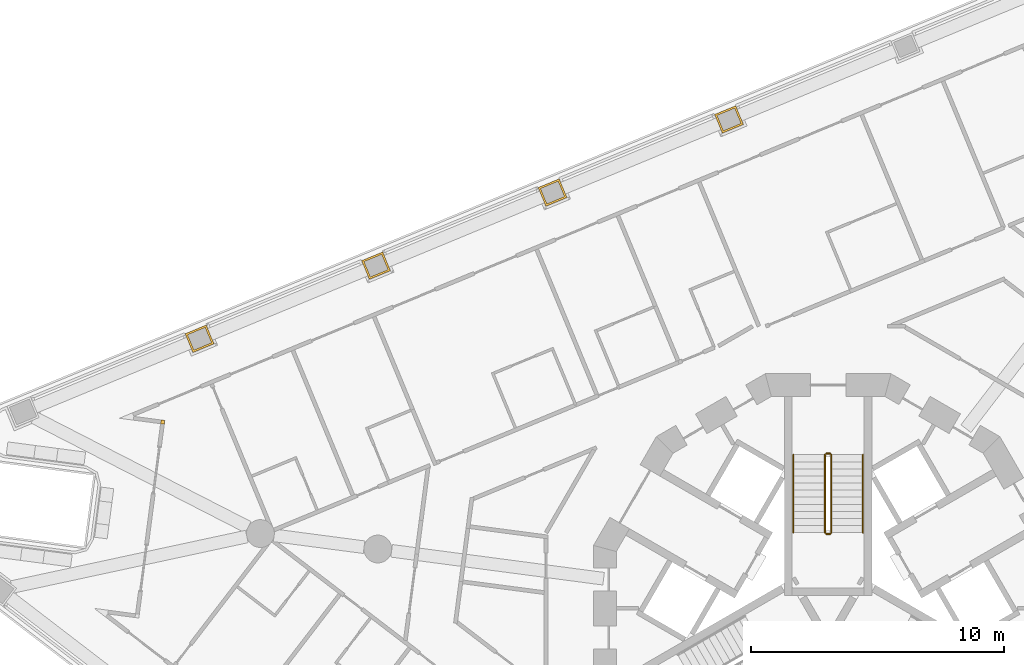
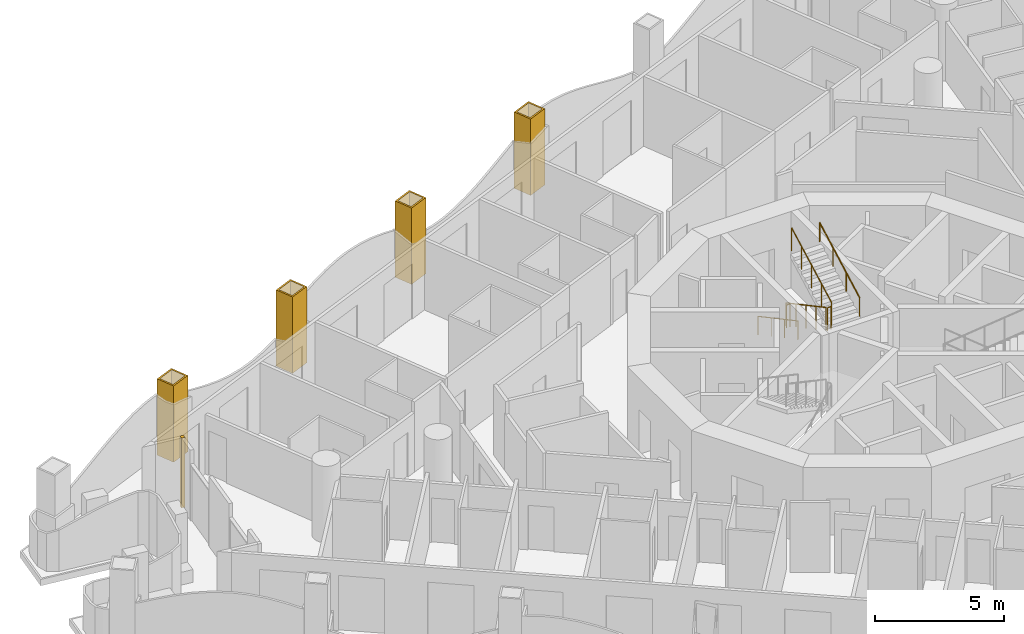
# One storey, part 16 of 18: 6 railings, 5 coverings.
"""IFC4 building model written with IfcOpenShell, lengths in metres."""

from ifc_helpers import new_model, si_unit, direction, frame, origin, origin_2d, place, context, subcontext, project, spatial, polyline, circle, outline, extrude, material, layer, layer_set, type_object, element, save


model = new_model("IFC4")

# Units and contexts
model_context = context("Model", 3, precision=1e-05, world=origin(), true_north=direction((0.0, 1.0)))
body_context = subcontext(model_context, "Body", "Model", "MODEL_VIEW")
ifc_project = project(units=[si_unit("LENGTHUNIT", "METRE"), si_unit("AREAUNIT", "SQUARE_METRE"), si_unit("VOLUMEUNIT", "CUBIC_METRE"), si_unit("PLANEANGLEUNIT", "RADIAN"), si_unit("MASSUNIT", "GRAM", prefix="KILO")], contexts=[model_context])

# Site, building, storey
site_placement = place(None, origin())
site = spatial("IfcSite", under=ifc_project, at=site_placement, CompositionType="ELEMENT")
building_placement = place(site_placement, origin())
building = spatial("IfcBuilding", under=site, at=building_placement, Name="Trine Commons Tower", CompositionType="ELEMENT")
storey_placement = place(building_placement, frame((0.0, 0.0, 145.800048828125)))
storey = spatial("IfcBuildingStorey", under=building, at=storey_placement, Name="L37", CompositionType="ELEMENT", Elevation=145.800048828125)

# Coverings
ifc_material_1 = material(Name="Aluminium-framed insulated wall panel", Category="aluminium")
ifc_layer_1 = layer(ifc_material_1, 0.14990234375)
ifc_layer_set_1 = layer_set([ifc_layer_1], Name="Aluminium-framed insulated wall panel")
covering_type_1 = type_object("IfcCoveringType", Name="Glazing corner post, aluminium", PredefinedType="CLADDING", material=ifc_layer_set_1)
covering_1_placement = place(storey_placement, origin())
element("IfcCovering", 1, at=covering_1_placement, inside=storey, type_object=covering_type_1, Name="Glazing corner post 4-03", PredefinedType="CLADDING", context=body_context, shape_type="SweptSolid", body=[
    extrude(outline(polyline([(53.610107421875, 69.797119140625), (53.7587890625, 69.77734375), (53.778564453125, 69.926025390625), (53.6298828125, 69.94580078125), (53.610107421875, 69.797119140625)])), origin(), (0.0, 0.0, 1.0), 3.300048828125),
])
ifc_material_2 = material(Name="Limestone, honed", Category="masonry")
ifc_layer_2 = layer(ifc_material_2, 0.074951171875)
ifc_layer_set_2 = layer_set([ifc_layer_2], Name="Limestone, honed")
covering_type_2 = type_object("IfcCoveringType", Name="Limestone column cladding 75", PredefinedType="CLADDING", material=ifc_layer_set_2)
covering_2_placement = place(storey_placement, origin())
element("IfcCovering", 2, at=covering_2_placement, inside=storey, type_object=covering_type_2, Name="Limestone pier cladding 4-10", PredefinedType="CLADDING", context=body_context, shape_type="SweptSolid", body=[
    extrude(outline(polyline([(55.719970703125, 72.957763671875), (55.413818359375, 73.69677734375), (54.582275390625, 73.352294921875), (54.888427734375, 72.61328125), (55.719970703125, 72.957763671875)]), holes=[polyline([(55.621826171875, 72.998291015625), (55.373291015625, 73.598876953125), (54.680419921875, 73.311767578125), (54.928955078125, 72.711181640625), (55.621826171875, 72.998291015625)])]), origin(), (0.0, 0.0, 1.0), 3.599853515625),
])
covering_3_placement = place(storey_placement, origin())
element("IfcCovering", 3, at=covering_3_placement, inside=storey, type_object=covering_type_2, Name="Limestone pier cladding 4-11", PredefinedType="CLADDING", context=body_context, shape_type="SweptSolid", body=[
    extrude(outline(polyline([(62.697021484375, 75.84765625), (62.390869140625, 76.5869140625), (61.559326171875, 76.2421875), (61.865478515625, 75.503173828125), (62.697021484375, 75.84765625)]), holes=[polyline([(62.59912109375, 75.88818359375), (62.350341796875, 76.48876953125), (61.657470703125, 76.201904296875), (61.906005859375, 75.601318359375), (62.59912109375, 75.88818359375)])]), origin(), (0.0, 0.0, 1.0), 3.599853515625),
])
covering_4_placement = place(storey_placement, origin())
element("IfcCovering", 4, at=covering_4_placement, inside=storey, type_object=covering_type_2, Name="Limestone pier cladding 4-12", PredefinedType="CLADDING", context=body_context, shape_type="SweptSolid", body=[
    extrude(outline(polyline([(69.674072265625, 78.73779296875), (69.367919921875, 79.476806640625), (68.53662109375, 79.13232421875), (68.842529296875, 78.393310546875), (69.674072265625, 78.73779296875)]), holes=[polyline([(69.576171875, 78.7783203125), (69.327392578125, 79.37890625), (68.634521484375, 79.091796875), (68.88330078125, 78.4912109375), (69.576171875, 78.7783203125)])]), origin(), (0.0, 0.0, 1.0), 3.599853515625),
])
covering_5_placement = place(storey_placement, origin())
element("IfcCovering", 5, at=covering_5_placement, inside=storey, type_object=covering_type_2, Name="Limestone pier cladding 4-13", PredefinedType="CLADDING", context=body_context, shape_type="SweptSolid", body=[
    extrude(outline(polyline([(76.651123046875, 81.627685546875), (76.34521484375, 82.366943359375), (75.513671875, 82.0224609375), (75.819580078125, 81.283203125), (76.651123046875, 81.627685546875)]), holes=[polyline([(76.55322265625, 81.668212890625), (76.304443359375, 82.268798828125), (75.611572265625, 81.98193359375), (75.8603515625, 81.38134765625), (76.55322265625, 81.668212890625)])]), origin(), (0.0, 0.0, 1.0), 3.599853515625),
])

# Railings
ifc_material_3 = material(Name="Stainless steel balustrade", Category="steel")
railing_type_1 = type_object("IfcRailingType", Name="Stair guard, steel balustrade 1100", PredefinedType="GUARDRAIL", material=ifc_material_3)
railing_1_placement = place(storey_placement, frame((79.875, 68.570556640625, 0.14990234375)))
element("IfcRailing", 6, at=railing_1_placement, inside=storey, type_object=railing_type_1, Name="L37 ST1B stair guard 1", PredefinedType="GUARDRAIL", context=body_context, shape_type="SweptSolid", body=[
    extrude(circle(Radius=0.02392578125, at=origin_2d()), frame((0.0, 0.0, 1.076171875), z_axis=(0.0, -0.881467505477, 0.472244678941), x_axis=(1.0, 0.0, 0.0)), (0.0, 0.0, 1.0), 3.494140625),
    extrude(circle(Radius=0.02099609375, at=origin_2d()), origin(), (0.0, 0.0, 1.0), 1.052001953125),
    extrude(circle(Radius=0.02099609375, at=origin_2d()), frame((0.0, -0.77001953125, 0.41259765625)), (0.0, 0.0, 1.0), 1.052001953125),
    extrude(circle(Radius=0.02099609375, at=origin_2d()), frame((0.0, -1.5400390625, 0.8251953125)), (0.0, 0.0, 1.0), 1.052001953125),
    extrude(circle(Radius=0.02099609375, at=origin_2d()), frame((0.0, -2.31005859375, 1.237548828125)), (0.0, 0.0, 1.0), 1.052001953125),
    extrude(circle(Radius=0.02099609375, at=origin_2d()), frame((0.0, -3.080078125, 1.650146484375)), (0.0, 0.0, 1.0), 1.052001953125),
])
railing_2_placement = place(storey_placement, frame((79.925048828125, 65.440673828125, 1.800048828125)))
element("IfcRailing", 7, at=railing_2_placement, inside=storey, type_object=railing_type_1, Name="L37 ST1B stair guard 2", PredefinedType="GUARDRAIL", context=body_context, shape_type="SweptSolid", body=[
    extrude(circle(Radius=0.02392578125, at=origin_2d()), frame((0.0, 0.0, 1.076171875), z_axis=(1.0, 0.0, 0.0), x_axis=(0.0, 1.0, 0.0)), (0.0, 0.0, 1.0), 0.14990234375),
    extrude(circle(Radius=0.02099609375, at=origin_2d()), origin(), (0.0, 0.0, 1.0), 1.052001953125),
    extrude(circle(Radius=0.02099609375, at=origin_2d()), frame((0.14990234375, 0.0, 0.0)), (0.0, 0.0, 1.0), 1.052001953125),
])
railing_3_placement = place(storey_placement, frame((80.125, 65.490478515625, 1.949951171875)))
element("IfcRailing", 8, at=railing_3_placement, inside=storey, type_object=railing_type_1, Name="L37 ST1B stair guard 3", PredefinedType="GUARDRAIL", context=body_context, shape_type="SweptSolid", body=[
    extrude(circle(Radius=0.02392578125, at=origin_2d()), frame((0.0, 0.0, 1.076171875), z_axis=(0.0, 0.881496589024, 0.472190389079), x_axis=(-1.0, 0.0, 0.0)), (0.0, 0.0, 1.0), 3.494140625),
    extrude(circle(Radius=0.02099609375, at=origin_2d()), origin(), (0.0, 0.0, 1.0), 1.052001953125),
    extrude(circle(Radius=0.02099609375, at=origin_2d()), frame((0.0, 0.77001953125, 0.41259765625)), (0.0, 0.0, 1.0), 1.052001953125),
    extrude(circle(Radius=0.02099609375, at=origin_2d()), frame((0.0, 1.5400390625, 0.824951171875)), (0.0, 0.0, 1.0), 1.052001953125),
    extrude(circle(Radius=0.02099609375, at=origin_2d()), frame((0.0, 2.31005859375, 1.2373046875)), (0.0, 0.0, 1.0), 1.052001953125),
    extrude(circle(Radius=0.02099609375, at=origin_2d()), frame((0.0, 3.080078125, 1.64990234375)), (0.0, 0.0, 1.0), 1.052001953125),
])
railing_4_placement = place(storey_placement, frame((79.925048828125, 68.62060546875, 0.0)))
element("IfcRailing", 9, at=railing_4_placement, inside=storey, type_object=railing_type_1, Name="L37 ST1B stair guard 4", PredefinedType="GUARDRAIL", context=body_context, shape_type="SweptSolid", body=[
    extrude(circle(Radius=0.02392578125, at=origin_2d()), frame((0.0, 0.0, 1.076171875), z_axis=(1.0, 0.0, 0.0), x_axis=(0.0, 1.0, 0.0)), (0.0, 0.0, 1.0), 0.14990234375),
    extrude(circle(Radius=0.02099609375, at=origin_2d()), origin(), (0.0, 0.0, 1.0), 1.052001953125),
    extrude(circle(Radius=0.02099609375, at=origin_2d()), frame((0.14990234375, 0.0, 0.0)), (0.0, 0.0, 1.0), 1.052001953125),
])
ifc_material_4 = material(Name="Stainless steel handrail", Category="steel")
railing_type_2 = type_object("IfcRailingType", Name="Stair handrail, steel 900", PredefinedType="HANDRAIL", material=ifc_material_4)
railing_5_placement = place(storey_placement, frame((78.625, 68.570556640625, 0.14990234375)))
element("IfcRailing", 10, at=railing_5_placement, inside=storey, type_object=railing_type_2, Name="L37 ST1B stair handrail 1", PredefinedType="HANDRAIL", context=body_context, shape_type="SweptSolid", body=[
    extrude(circle(Radius=0.02099609375, at=origin_2d()), frame((0.0, 0.0, 0.87890625), z_axis=(0.0, -0.881467505477, 0.472244678941), x_axis=(1.0, 0.0, 0.0)), (0.0, 0.0, 1.0), 3.494140625),
    extrude(circle(Radius=0.01513671875, at=origin_2d()), origin(), (0.0, 0.0, 1.0), 0.85791015625),
    extrude(circle(Radius=0.01513671875, at=origin_2d()), frame((0.0, -1.026611328125, 0.550048828125)), (0.0, 0.0, 1.0), 0.85791015625),
    extrude(circle(Radius=0.01513671875, at=origin_2d()), frame((0.0, -2.053466796875, 1.10009765625)), (0.0, 0.0, 1.0), 0.85791015625),
    extrude(circle(Radius=0.01513671875, at=origin_2d()), frame((0.0, -3.080078125, 1.650146484375)), (0.0, 0.0, 1.0), 0.85791015625),
])
railing_6_placement = place(storey_placement, frame((81.375, 65.490478515625, 1.949951171875)))
element("IfcRailing", 11, at=railing_6_placement, inside=storey, type_object=railing_type_2, Name="L37 ST1B stair handrail 2", PredefinedType="HANDRAIL", context=body_context, shape_type="SweptSolid", body=[
    extrude(circle(Radius=0.02099609375, at=origin_2d()), frame((0.0, 0.0, 0.87890625), z_axis=(0.0, 0.881496589024, 0.472190389079), x_axis=(-1.0, 0.0, 0.0)), (0.0, 0.0, 1.0), 3.494140625),
    extrude(circle(Radius=0.01513671875, at=origin_2d()), origin(), (0.0, 0.0, 1.0), 0.85791015625),
    extrude(circle(Radius=0.01513671875, at=origin_2d()), frame((0.0, 1.026611328125, 0.550048828125)), (0.0, 0.0, 1.0), 0.85791015625),
    extrude(circle(Radius=0.01513671875, at=origin_2d()), frame((0.0, 2.053466796875, 1.099853515625)), (0.0, 0.0, 1.0), 0.85791015625),
    extrude(circle(Radius=0.01513671875, at=origin_2d()), frame((0.0, 3.080078125, 1.64990234375)), (0.0, 0.0, 1.0), 0.85791015625),
])

save(model, "model.ifc")
